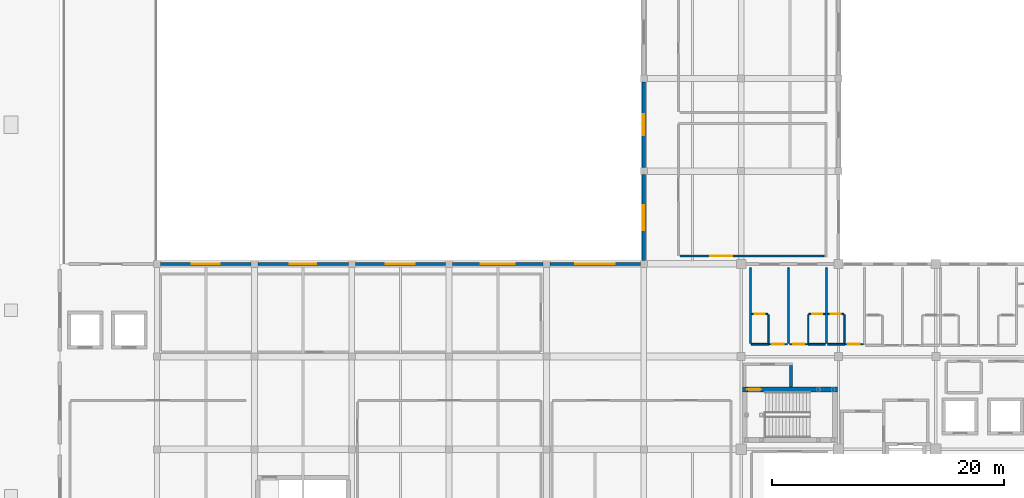
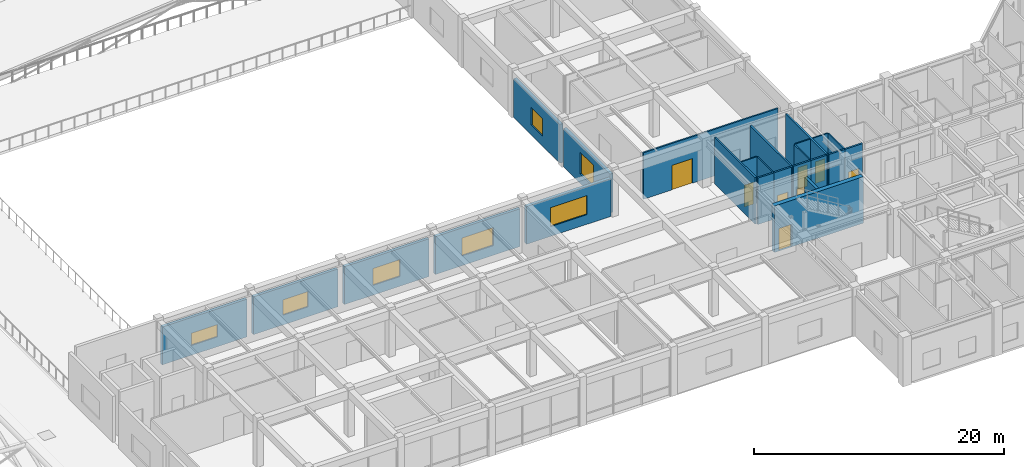
# One storey, part 22 of 37: 25 walls, 8 doors, 7 windows, 15 openings.
"""IFC4 building model written with IfcOpenShell, lengths in metres."""

from ifc_helpers import new_model, si_unit, direction, frame, frame_2d, origin, place, context, subcontext, project, spatial, rectangle, extrude, material, layer, layer_set, type_object, element, fill, save


model = new_model("IFC4")

# Units and contexts
model_context = context("Model", 3, precision=1e-05, world=origin(), true_north=direction((0.0, 1.0)))
body_context = subcontext(model_context, "Body", "Model", "MODEL_VIEW")
ifc_project = project(units=[si_unit("LENGTHUNIT", "METRE"), si_unit("AREAUNIT", "SQUARE_METRE"), si_unit("VOLUMEUNIT", "CUBIC_METRE"), si_unit("PLANEANGLEUNIT", "RADIAN"), si_unit("MASSUNIT", "GRAM", prefix="KILO")], contexts=[model_context])

# Site, building, storey
site_placement = place(None, origin())
site = spatial("IfcSite", under=ifc_project, at=site_placement, CompositionType="ELEMENT")
building_placement = place(site_placement, origin())
building = spatial("IfcBuilding", under=site, at=building_placement, Name="Naruveol Harbour Congress Hotel", CompositionType="ELEMENT")
storey_placement = place(building_placement, frame((0.0, 0.0, 16.199951171875)))
storey = spatial("IfcBuildingStorey", under=building, at=storey_placement, Name="L03", CompositionType="ELEMENT", Elevation=16.199951171875)

# Wall, opening, door
ifc_material_1 = material(Name="Acoustic Double Stud Gypsum", Category="gypsum")
ifc_layer_1 = layer(ifc_material_1, 0.139892578125)
ifc_layer_set_1 = layer_set([ifc_layer_1], Name="Acoustic Double Stud Gypsum")
wall_type_1 = type_object("IfcWallType", Name="ACOUSTIC MEETING PARTITION WALL 140", PredefinedType="PARTITIONING", material=ifc_layer_set_1)
wall_1_placement = place(storey_placement, frame((112.340087890625, 32.679931640625, 0.0), z_axis=(0.0, 0.0, 1.0), x_axis=(1.0, 0.0, 0.0)))
wall_1 = element("IfcWall", 1, at=wall_1_placement, inside=storey, type_object=wall_type_1, Name="Breakout Salon 302 south partition PW-140", PredefinedType="PARTITIONING", context=body_context, shape_type="SweptSolid", body=[
    extrude(rectangle(XDim=12.409912109375, YDim=0.139892578125, at=frame_2d((6.205078125, 0.0))), origin(), (0.0, 0.0, 1.0), 4.53515625),
])
opening_1_placement = place(wall_1_placement, frame((2.60009765625, 0.0, 0.0)))
opening_1 = element("IfcOpeningElement", 2, at=opening_1_placement, cuts=wall_1, Name="Opening ID-LG-86B", PredefinedType="OPENING", context=body_context, shape_type="SweptSolid", body=[
    extrude(rectangle(XDim=1.89990234375, YDim=2.39990234375, at=frame_2d((0.949951171875, 1.199951171875))), frame((0.0, 0.079833984375, 0.0), z_axis=(0.0, -1.0, 0.0), x_axis=(1.0, 0.0, 0.0)), (0.0, 0.0, 1.0), 0.159912109375),
])
ifc_material_2 = material(Name="Timber & Steel Acoustic Leaf", Category="steel")
door_type_1 = type_object("IfcDoorType", Name="RESTAURANT AND LOUNGE GLAZED DOOR 1900X2400", OperationType="DOUBLE_DOOR_SINGLE_SWING", PredefinedType="DOOR", material=ifc_material_2)
door_1_placement = place(opening_1_placement, origin())
door_1 = element("IfcDoor", 3, at=door_1_placement, inside=storey, type_object=door_type_1, Name="Breakout Salon 302 Second Exit Door", OperationType="DOUBLE_DOOR_SINGLE_SWING", OverallHeight=2.39990234375, OverallWidth=1.89990234375, PredefinedType="DOOR", context=body_context, shape_type="SweptSolid", body=[
    extrude(rectangle(XDim=1.89990234375, YDim=2.39990234375, at=frame_2d((0.949951171875, 1.199951171875))), frame((0.0, 0.02490234375, 0.0), z_axis=(0.0, -1.0, 0.0), x_axis=(1.0, 0.0, 0.0)), (0.0, 0.0, 1.0), 0.050048828125),
])
fill(opening_1, door_1)

# Wall, opening, window
ifc_material_3 = material(Name="Precast concrete C40/50", Category="concrete")
ifc_layer_2 = layer(ifc_material_3, 0.280029296875)
ifc_layer_set_2 = layer_set([ifc_layer_2], Name="Precast concrete C40/50")
wall_type_2 = type_object("IfcWallType", Name="ARCHITECTURAL PRECAST FACADE WALL 280", PredefinedType="SOLIDWALL", material=ifc_layer_set_2)
wall_2_placement = place(storey_placement, frame((67.5, 32.0, 0.0), z_axis=(0.0, 0.0, 1.0), x_axis=(1.0, 0.0, 0.0)))
wall_2 = element("IfcWall", 4, at=wall_2_placement, inside=storey, type_object=wall_type_2, Name="Level L03 courtyard step-back wall EW-280", PredefinedType="SOLIDWALL", context=body_context, shape_type="SweptSolid", body=[
    extrude(rectangle(XDim=7.800048828125, YDim=0.280029296875, at=frame_2d((3.89990234375, 0.0))), origin(), (0.0, 0.0, 1.0), 3.68994140625),
])
opening_2_placement = place(wall_2_placement, frame((2.699951171875, 0.0, 0.949951171875)))
opening_2 = element("IfcOpeningElement", 5, at=opening_2_placement, cuts=wall_2, Name="Opening W-19", PredefinedType="OPENING", context=body_context, shape_type="SweptSolid", body=[
    extrude(rectangle(XDim=2.39990234375, YDim=1.199951171875, at=frame_2d((1.199951171875, 0.60009765625))), frame((0.0, 0.14990234375, 0.0), z_axis=(0.0, -1.0, 0.0), x_axis=(1.0, 0.0, 0.0)), (0.0, 0.0, 1.0), 0.300048828125),
])
ifc_material_4 = material(Name="Low-E Triple Glazing in Thermal Aluminium", Category="aluminium")
window_type_1 = type_object("IfcWindowType", Name="AUDITORIUM ACOUSTIC CLERESTORY 2400X1200", PartitioningType="DOUBLE_PANEL_VERTICAL", PredefinedType="WINDOW", material=ifc_material_4)
window_1_placement = place(opening_2_placement, origin())
window_1 = element("IfcWindow", 6, at=window_1_placement, inside=storey, type_object=window_type_1, Name="Window W-19 #162", OverallHeight=1.199951171875, OverallWidth=2.39990234375, PartitioningType="DOUBLE_PANEL_VERTICAL", PredefinedType="WINDOW", context=body_context, shape_type="SweptSolid", body=[
    extrude(rectangle(XDim=2.39990234375, YDim=1.199951171875, at=frame_2d((1.199951171875, 0.60009765625))), frame((0.0, 0.030029296875, 0.0), z_axis=(0.0, -1.0, 0.0), x_axis=(1.0, 0.0, 0.0)), (0.0, 0.0, 1.0), 0.06005859375),
])
fill(opening_2, window_1)

wall_3_placement = place(storey_placement, frame((75.89990234375, 32.0, 0.0), z_axis=(0.0, 0.0, 1.0), x_axis=(1.0, 0.0, 0.0)))
wall_3 = element("IfcWall", 7, at=wall_3_placement, inside=storey, type_object=wall_type_2, Name="Level L03 courtyard step-back wall EW-280", PredefinedType="SOLIDWALL", context=body_context, shape_type="SweptSolid", body=[
    extrude(rectangle(XDim=7.800048828125, YDim=0.280029296875, at=frame_2d((3.89990234375, 0.0))), origin(), (0.0, 0.0, 1.0), 3.68994140625),
])
opening_3_placement = place(wall_3_placement, frame((2.75, 0.0, 0.949951171875)))
opening_3 = element("IfcOpeningElement", 8, at=opening_3_placement, cuts=wall_3, Name="Opening W-21", PredefinedType="OPENING", context=body_context, shape_type="SweptSolid", body=[
    extrude(rectangle(XDim=2.300048828125, YDim=1.5, at=frame_2d((1.14990234375, 0.75))), frame((0.0, 0.14990234375, 0.0), z_axis=(0.0, -1.0, 0.0), x_axis=(1.0, 0.0, 0.0)), (0.0, 0.0, 1.0), 0.300048828125),
])
ifc_material_5 = material(Name="Low-E Triple Glazing in Thermal Aluminium", Category="aluminium")
window_type_2 = type_object("IfcWindowType", Name="COURTYARD GALLERY WINDOW 2300X1500", PartitioningType="DOUBLE_PANEL_VERTICAL", PredefinedType="WINDOW", material=ifc_material_5)
window_2_placement = place(opening_3_placement, origin())
window_2 = element("IfcWindow", 9, at=window_2_placement, inside=storey, type_object=window_type_2, Name="Window W-21 #163", OverallHeight=1.5, OverallWidth=2.300048828125, PartitioningType="DOUBLE_PANEL_VERTICAL", PredefinedType="WINDOW", context=body_context, shape_type="SweptSolid", body=[
    extrude(rectangle(XDim=2.300048828125, YDim=1.5, at=frame_2d((1.14990234375, 0.75))), frame((0.0, 0.030029296875, 0.0), z_axis=(0.0, -1.0, 0.0), x_axis=(1.0, 0.0, 0.0)), (0.0, 0.0, 1.0), 0.06005859375),
])
fill(opening_3, window_2)

wall_4_placement = place(storey_placement, frame((84.300048828125, 32.0, 0.0), z_axis=(0.0, 0.0, 1.0), x_axis=(1.0, 0.0, 0.0)))
wall_4 = element("IfcWall", 10, at=wall_4_placement, inside=storey, type_object=wall_type_2, Name="Level L03 courtyard step-back wall EW-280", PredefinedType="SOLIDWALL", context=body_context, shape_type="SweptSolid", body=[
    extrude(rectangle(XDim=7.800048828125, YDim=0.280029296875, at=frame_2d((3.89990234375, 0.0))), origin(), (0.0, 0.0, 1.0), 3.68994140625),
])
opening_4_placement = place(wall_4_placement, frame((2.64990234375, 0.0, 0.949951171875)))
opening_4 = element("IfcOpeningElement", 11, at=opening_4_placement, cuts=wall_4, Name="Opening W-22", PredefinedType="OPENING", context=body_context, shape_type="SweptSolid", body=[
    extrude(rectangle(XDim=2.5, YDim=1.64990234375, at=frame_2d((1.25, 0.824951171875))), frame((0.0, 0.14990234375, 0.0), z_axis=(0.0, -1.0, 0.0), x_axis=(1.0, 0.0, 0.0)), (0.0, 0.0, 1.0), 0.300048828125),
])
ifc_material_6 = material(Name="Low-E Triple Glazing in Thermal Aluminium", Category="aluminium")
window_type_3 = type_object("IfcWindowType", Name="BREAKOUT SALON WINDOW 2500X1650", PartitioningType="DOUBLE_PANEL_VERTICAL", PredefinedType="WINDOW", material=ifc_material_6)
window_3_placement = place(opening_4_placement, origin())
window_3 = element("IfcWindow", 12, at=window_3_placement, inside=storey, type_object=window_type_3, Name="Window W-22 #164", OverallHeight=1.64990234375, OverallWidth=2.5, PartitioningType="DOUBLE_PANEL_VERTICAL", PredefinedType="WINDOW", context=body_context, shape_type="SweptSolid", body=[
    extrude(rectangle(XDim=2.5, YDim=1.64990234375, at=frame_2d((1.25, 0.824951171875))), frame((0.0, 0.030029296875, 0.0), z_axis=(0.0, -1.0, 0.0), x_axis=(1.0, 0.0, 0.0)), (0.0, 0.0, 1.0), 0.06005859375),
])
fill(opening_4, window_3)

wall_5_placement = place(storey_placement, frame((92.699951171875, 32.0, 0.0), z_axis=(0.0, 0.0, 1.0), x_axis=(1.0, 0.0, 0.0)))
wall_5 = element("IfcWall", 13, at=wall_5_placement, inside=storey, type_object=wall_type_2, Name="Level L03 courtyard step-back wall EW-280", PredefinedType="SOLIDWALL", context=body_context, shape_type="SweptSolid", body=[
    extrude(rectangle(XDim=7.800048828125, YDim=0.280029296875, at=frame_2d((3.89990234375, 0.0))), origin(), (0.0, 0.0, 1.0), 3.68994140625),
])
opening_5_placement = place(wall_5_placement, frame((2.449951171875, 0.0, 0.949951171875)))
opening_5 = element("IfcOpeningElement", 14, at=opening_5_placement, cuts=wall_5, Name="Opening W-23", PredefinedType="OPENING", context=body_context, shape_type="SweptSolid", body=[
    extrude(rectangle(XDim=2.89990234375, YDim=1.75, at=frame_2d((1.449951171875, 0.875))), frame((0.0, 0.14990234375, 0.0), z_axis=(0.0, -1.0, 0.0), x_axis=(1.0, 0.0, 0.0)), (0.0, 0.0, 1.0), 0.300048828125),
])
ifc_material_7 = material(Name="Low-E Triple Glazing in Thermal Aluminium", Category="aluminium")
window_type_4 = type_object("IfcWindowType", Name="BOARDROOM HARBOUR WINDOW 2900X1750", PartitioningType="DOUBLE_PANEL_VERTICAL", PredefinedType="WINDOW", material=ifc_material_7)
window_4_placement = place(opening_5_placement, origin())
window_4 = element("IfcWindow", 15, at=window_4_placement, inside=storey, type_object=window_type_4, Name="Window W-23 #165", OverallHeight=1.75, OverallWidth=2.89990234375, PartitioningType="DOUBLE_PANEL_VERTICAL", PredefinedType="WINDOW", context=body_context, shape_type="SweptSolid", body=[
    extrude(rectangle(XDim=2.89990234375, YDim=1.75, at=frame_2d((1.449951171875, 0.875))), frame((0.0, 0.030029296875, 0.0), z_axis=(0.0, -1.0, 0.0), x_axis=(1.0, 0.0, 0.0)), (0.0, 0.0, 1.0), 0.06005859375),
])
fill(opening_5, window_4)

wall_6_placement = place(storey_placement, frame((101.10009765625, 32.0, 0.0), z_axis=(0.0, 0.0, 1.0), x_axis=(1.0, 0.0, 0.0)))
wall_6 = element("IfcWall", 16, at=wall_6_placement, inside=storey, type_object=wall_type_2, Name="Level L03 courtyard step-back wall EW-280", PredefinedType="SOLIDWALL", context=body_context, shape_type="SweptSolid", body=[
    extrude(rectangle(XDim=7.7998046875, YDim=0.280029296875, at=frame_2d((3.89990234375, 0.0))), origin(), (0.0, 0.0, 1.0), 3.68994140625),
])
opening_6_placement = place(wall_6_placement, frame((2.199951171875, 0.0, 0.949951171875)))
opening_6 = element("IfcOpeningElement", 17, at=opening_6_placement, cuts=wall_6, Name="Opening W-24", PredefinedType="OPENING", context=body_context, shape_type="SweptSolid", body=[
    extrude(rectangle(XDim=3.39990234375, YDim=1.85009765625, at=frame_2d((1.699951171875, 0.925048828125))), frame((0.0, 0.14990234375, 0.0), z_axis=(0.0, -1.0, 0.0), x_axis=(1.0, 0.0, 0.0)), (0.0, 0.0, 1.0), 0.300048828125),
])
ifc_material_8 = material(Name="Low-E Triple Glazing in Thermal Aluminium", Category="aluminium")
window_type_5 = type_object("IfcWindowType", Name="DELEGATES LOUNGE WINDOW 3400X1850", PartitioningType="DOUBLE_PANEL_VERTICAL", PredefinedType="WINDOW", material=ifc_material_8)
window_5_placement = place(opening_6_placement, origin())
window_5 = element("IfcWindow", 18, at=window_5_placement, inside=storey, type_object=window_type_5, Name="Window W-24 #166", OverallHeight=1.85009765625, OverallWidth=3.39990234375, PartitioningType="DOUBLE_PANEL_VERTICAL", PredefinedType="WINDOW", context=body_context, shape_type="SweptSolid", body=[
    extrude(rectangle(XDim=3.39990234375, YDim=1.85009765625, at=frame_2d((1.699951171875, 0.925048828125))), frame((0.0, 0.030029296875, 0.0), z_axis=(0.0, -1.0, 0.0), x_axis=(1.0, 0.0, 0.0)), (0.0, 0.0, 1.0), 0.06005859375),
])
fill(opening_6, window_5)

wall_7_placement = place(storey_placement, frame((109.199951171875, 32.300048828125, 0.0), z_axis=(0.0, 0.0, 1.0), x_axis=(0.0, 1.0, 0.0)))
wall_7 = element("IfcWall", 19, at=wall_7_placement, inside=storey, type_object=wall_type_2, Name="Level L03 north garden step-back wall EW-280", PredefinedType="SOLIDWALL", context=body_context, shape_type="SweptSolid", body=[
    extrude(rectangle(XDim=7.39990234375, YDim=0.280029296875, at=frame_2d((3.699951171875, 0.0))), origin(), (0.0, 0.0, 1.0), 3.7900390625),
])
opening_7_placement = place(wall_7_placement, frame((2.625, 0.0, 0.949951171875)))
opening_7 = element("IfcOpeningElement", 20, at=opening_7_placement, cuts=wall_7, Name="Opening W-29", PredefinedType="OPENING", context=body_context, shape_type="SweptSolid", body=[
    extrude(rectangle(XDim=2.14990234375, YDim=2.10009765625, at=frame_2d((1.074951171875, 1.050048828125))), frame((0.0, 0.14990234375, 0.0), z_axis=(0.0, -1.0, 0.0), x_axis=(1.0, 0.0, 0.0)), (0.0, 0.0, 1.0), 0.300048828125),
])
ifc_material_9 = material(Name="Low-E Triple Glazing in Thermal Aluminium", Category="aluminium")
window_type_6 = type_object("IfcWindowType", Name="DINING TERRACE WINDOW 2150X2100", PartitioningType="DOUBLE_PANEL_VERTICAL", PredefinedType="WINDOW", material=ifc_material_9)
window_6_placement = place(opening_7_placement, origin())
window_6 = element("IfcWindow", 21, at=window_6_placement, inside=storey, type_object=window_type_6, Name="Window W-29 #170", OverallHeight=2.10009765625, OverallWidth=2.14990234375, PartitioningType="DOUBLE_PANEL_VERTICAL", PredefinedType="WINDOW", context=body_context, shape_type="SweptSolid", body=[
    extrude(rectangle(XDim=2.14990234375, YDim=2.10009765625, at=frame_2d((1.074951171875, 1.050048828125))), frame((0.0, 0.030029296875, 0.0), z_axis=(0.0, -1.0, 0.0), x_axis=(1.0, 0.0, 0.0)), (0.0, 0.0, 1.0), 0.06005859375),
])
fill(opening_7, window_6)

wall_8_placement = place(storey_placement, frame((109.199951171875, 40.300048828125, 0.0), z_axis=(0.0, 0.0, 1.0), x_axis=(0.0, 1.0, 0.0)))
wall_8 = element("IfcWall", 22, at=wall_8_placement, inside=storey, type_object=wall_type_2, Name="Level L03 north garden step-back wall EW-280", PredefinedType="SOLIDWALL", context=body_context, shape_type="SweptSolid", body=[
    extrude(rectangle(XDim=7.39990234375, YDim=0.280029296875, at=frame_2d((3.699951171875, 0.0))), origin(), (0.0, 0.0, 1.0), 3.7900390625),
])
opening_8_placement = place(wall_8_placement, frame((2.800048828125, 0.0, 0.949951171875)))
opening_8 = element("IfcOpeningElement", 23, at=opening_8_placement, cuts=wall_8, Name="Opening W-04", PredefinedType="OPENING", context=body_context, shape_type="SweptSolid", body=[
    extrude(rectangle(XDim=1.800048828125, YDim=1.699951171875, at=frame_2d((0.89990234375, 0.85009765625))), frame((0.0, 0.14990234375, 0.0), z_axis=(0.0, -1.0, 0.0), x_axis=(1.0, 0.0, 0.0)), (0.0, 0.0, 1.0), 0.300048828125),
])
ifc_material_10 = material(Name="Low-E Triple Glazing in Thermal Aluminium", Category="aluminium")
window_type_7 = type_object("IfcWindowType", Name="DELUXE PANORAMA WINDOW 1800X1700", PartitioningType="DOUBLE_PANEL_VERTICAL", PredefinedType="WINDOW", material=ifc_material_10)
window_7_placement = place(opening_8_placement, origin())
window_7 = element("IfcWindow", 24, at=window_7_placement, inside=storey, type_object=window_type_7, Name="Window W-04 #171", OverallHeight=1.699951171875, OverallWidth=1.800048828125, PartitioningType="DOUBLE_PANEL_VERTICAL", PredefinedType="WINDOW", context=body_context, shape_type="SweptSolid", body=[
    extrude(rectangle(XDim=1.800048828125, YDim=1.699951171875, at=frame_2d((0.89990234375, 0.85009765625))), frame((0.0, 0.030029296875, 0.0), z_axis=(0.0, -1.0, 0.0), x_axis=(1.0, 0.0, 0.0)), (0.0, 0.0, 1.0), 0.06005859375),
])
fill(opening_8, window_7)

# Wall
ifc_material_11 = material(Name="Moisture-Resistant Gypsum Partition", Category="gypsum")
ifc_layer_3 = layer(ifc_material_11, 0.114990234375)
ifc_layer_set_3 = layer_set([ifc_layer_3], Name="Moisture-Resistant Gypsum Partition")
wall_type_3 = type_object("IfcWallType", Name="BATHROOM MOISTURE PARTITION WALL 115", PredefinedType="PARTITIONING", material=ifc_layer_set_3)
wall_9_placement = place(storey_placement, frame((119.969970703125, 25.159912109375, 0.0), z_axis=(0.0, 0.0, 1.0), x_axis=(0.0, 1.0, 0.0)))
element("IfcWall", 25, at=wall_9_placement, inside=storey, type_object=wall_type_3, Name="Bathroom east wall 0457 PW-115", PredefinedType="PARTITIONING", context=body_context, shape_type="SweptSolid", body=[
    extrude(rectangle(XDim=2.4501953125, YDim=0.114990234375, at=frame_2d((1.22509765625, 0.0))), origin(), (0.0, 0.0, 1.0), 4.53515625),
])

# Wall, opening, door
wall_10_placement = place(storey_placement, frame((118.5, 27.669921875, 0.0), z_axis=(0.0, 0.0, 1.0), x_axis=(1.0, 0.0, 0.0)))
wall_10 = element("IfcWall", 26, at=wall_10_placement, inside=storey, type_object=wall_type_3, Name="Bathroom north wall 0457 PW-115", PredefinedType="PARTITIONING", context=body_context, shape_type="SweptSolid", body=[
    extrude(rectangle(XDim=1.409912109375, YDim=0.114990234375, at=frame_2d((0.705078125, 0.0))), origin(), (0.0, 0.0, 1.0), 4.53515625),
])
opening_9_placement = place(wall_10_placement, frame((0.27490234375, 0.0, 0.0)))
opening_9 = element("IfcOpeningElement", 27, at=opening_9_placement, cuts=wall_10, Name="Opening BD-RM0457", PredefinedType="OPENING", context=body_context, shape_type="SweptSolid", body=[
    extrude(rectangle(XDim=0.860107421875, YDim=2.1201171875, at=frame_2d((0.43017578125, 1.06005859375))), frame((0.0, 0.0673828125, 0.0), z_axis=(0.0, -1.0, 0.0), x_axis=(1.0, 0.0, 0.0)), (0.0, 0.0, 1.0), 0.135009765625),
])
ifc_material_12 = material(Name="Timber & Steel Acoustic Leaf", Category="steel")
door_type_2 = type_object("IfcDoorType", Name="GUEST BATHROOM DOOR 860X2120", OperationType="NOTDEFINED", PredefinedType="DOOR", material=ifc_material_12)
door_2_placement = place(opening_9_placement, origin())
door_2 = element("IfcDoor", 28, at=door_2_placement, inside=storey, type_object=door_type_2, Name="Bathroom Door 0457", OperationType="SINGLE_SWING_RIGHT", OverallHeight=2.1201171875, OverallWidth=0.860107421875, PredefinedType="DOOR", context=body_context, shape_type="SweptSolid", body=[
    extrude(rectangle(XDim=0.860107421875, YDim=2.1201171875, at=frame_2d((0.43017578125, 1.06005859375))), frame((0.0, 0.02490234375, 0.0), z_axis=(0.0, -1.0, 0.0), x_axis=(1.0, 0.0, 0.0)), (0.0, 0.0, 1.0), 0.050048828125),
])
fill(opening_9, door_2)

# Wall
wall_11_placement = place(storey_placement, frame((123.389892578125, 25.159912109375, 0.0), z_axis=(0.0, 0.0, 1.0), x_axis=(0.0, 1.0, 0.0)))
element("IfcWall", 29, at=wall_11_placement, inside=storey, type_object=wall_type_3, Name="Bathroom west wall 0458 PW-115", PredefinedType="PARTITIONING", context=body_context, shape_type="SweptSolid", body=[
    extrude(rectangle(XDim=2.4501953125, YDim=0.114990234375, at=frame_2d((1.22509765625, 0.0))), origin(), (0.0, 0.0, 1.0), 4.53515625),
])

# Wall, opening, door
wall_12_placement = place(storey_placement, frame((123.449951171875, 27.669921875, 0.0), z_axis=(0.0, 0.0, 1.0), x_axis=(1.0, 0.0, 0.0)))
wall_12 = element("IfcWall", 30, at=wall_12_placement, inside=storey, type_object=wall_type_3, Name="Bathroom north wall 0458 PW-115", PredefinedType="PARTITIONING", context=body_context, shape_type="SweptSolid", body=[
    extrude(rectangle(XDim=1.41015625, YDim=0.114990234375, at=frame_2d((0.705078125, 0.0))), origin(), (0.0, 0.0, 1.0), 4.53515625),
])
opening_10_placement = place(wall_12_placement, frame((0.27490234375, 0.0, 0.0)))
opening_10 = element("IfcOpeningElement", 31, at=opening_10_placement, cuts=wall_12, Name="Opening BD-RM0458", PredefinedType="OPENING", context=body_context, shape_type="SweptSolid", body=[
    extrude(rectangle(XDim=0.860107421875, YDim=2.1201171875, at=frame_2d((0.43017578125, 1.06005859375))), frame((0.0, 0.0673828125, 0.0), z_axis=(0.0, -1.0, 0.0), x_axis=(1.0, 0.0, 0.0)), (0.0, 0.0, 1.0), 0.135009765625),
])
door_3_placement = place(opening_10_placement, origin())
door_3 = element("IfcDoor", 32, at=door_3_placement, inside=storey, type_object=door_type_2, Name="Bathroom Door 0458", OperationType="SINGLE_SWING_RIGHT", OverallHeight=2.1201171875, OverallWidth=0.860107421875, PredefinedType="DOOR", context=body_context, shape_type="SweptSolid", body=[
    extrude(rectangle(XDim=0.860107421875, YDim=2.1201171875, at=frame_2d((0.43017578125, 1.06005859375))), frame((0.0, 0.02490234375, 0.0), z_axis=(0.0, -1.0, 0.0), x_axis=(1.0, 0.0, 0.0)), (0.0, 0.0, 1.0), 0.050048828125),
])
fill(opening_10, door_3)

# Wall
wall_13_placement = place(storey_placement, frame((126.530029296875, 25.159912109375, 0.0), z_axis=(0.0, 0.0, 1.0), x_axis=(0.0, 1.0, 0.0)))
element("IfcWall", 33, at=wall_13_placement, inside=storey, type_object=wall_type_3, Name="Bathroom east wall 0459 PW-115", PredefinedType="PARTITIONING", context=body_context, shape_type="SweptSolid", body=[
    extrude(rectangle(XDim=2.4501953125, YDim=0.114990234375, at=frame_2d((1.22509765625, 0.0))), origin(), (0.0, 0.0, 1.0), 4.53515625),
])

# Wall, opening, door
wall_14_placement = place(storey_placement, frame((125.06005859375, 27.669921875, 0.0), z_axis=(0.0, 0.0, 1.0), x_axis=(1.0, 0.0, 0.0)))
wall_14 = element("IfcWall", 34, at=wall_14_placement, inside=storey, type_object=wall_type_3, Name="Bathroom north wall 0459 PW-115", PredefinedType="PARTITIONING", context=body_context, shape_type="SweptSolid", body=[
    extrude(rectangle(XDim=1.409912109375, YDim=0.114990234375, at=frame_2d((0.705078125, 0.0))), origin(), (0.0, 0.0, 1.0), 4.53515625),
])
opening_11_placement = place(wall_14_placement, frame((0.27490234375, 0.0, 0.0)))
opening_11 = element("IfcOpeningElement", 35, at=opening_11_placement, cuts=wall_14, Name="Opening BD-RM0459", PredefinedType="OPENING", context=body_context, shape_type="SweptSolid", body=[
    extrude(rectangle(XDim=0.860107421875, YDim=2.1201171875, at=frame_2d((0.43017578125, 1.06005859375))), frame((0.0, 0.0673828125, 0.0), z_axis=(0.0, -1.0, 0.0), x_axis=(1.0, 0.0, 0.0)), (0.0, 0.0, 1.0), 0.135009765625),
])
door_4_placement = place(opening_11_placement, origin())
door_4 = element("IfcDoor", 36, at=door_4_placement, inside=storey, type_object=door_type_2, Name="Bathroom Door 0459", OperationType="SINGLE_SWING_RIGHT", OverallHeight=2.1201171875, OverallWidth=0.860107421875, PredefinedType="DOOR", context=body_context, shape_type="SweptSolid", body=[
    extrude(rectangle(XDim=0.860107421875, YDim=2.1201171875, at=frame_2d((0.43017578125, 1.06005859375))), frame((0.0, 0.02490234375, 0.0), z_axis=(0.0, -1.0, 0.0), x_axis=(1.0, 0.0, 0.0)), (0.0, 0.0, 1.0), 0.050048828125),
])
fill(opening_11, door_4)

# Walls
ifc_material_13 = material(Name="Concrete C40/50", Category="concrete")
ifc_layer_4 = layer(ifc_material_13, 0.219970703125)
ifc_layer_set_4 = layer_set([ifc_layer_4], Name="Concrete C40/50")
wall_type_4 = type_object("IfcWallType", Name="FIRE COMPARTMENT AND LOBBY WALL 220 EI120", PredefinedType="PARTITIONING", material=ifc_layer_set_4)
wall_15_placement = place(storey_placement, frame((121.89990234375, 21.364990234375, 0.0), z_axis=(0.0, 0.0, 1.0), x_axis=(0.0, 1.0, 0.0)))
element("IfcWall", 37, at=wall_15_placement, inside=storey, type_object=wall_type_4, Name="Smoke vestibule ST3 east wall FW-220", PredefinedType="PARTITIONING", context=body_context, shape_type="SweptSolid", body=[
    extrude(rectangle(XDim=1.8701171875, YDim=0.219970703125, at=frame_2d((0.93505859375, 0.0))), origin(), (0.0, 0.0, 1.0), 4.53515625),
])
ifc_material_14 = material(Name="Autoclaved Aerated Concrete Block", Category="concrete")
ifc_layer_5 = layer(ifc_material_14, 0.159912109375)
ifc_layer_set_5 = layer_set([ifc_layer_5], Name="Autoclaved Aerated Concrete Block")
wall_type_5 = type_object("IfcWallType", Name="HOTEL PARTY AND CORRIDOR WALL 160 EI60", PredefinedType="PARTITIONING", material=ifc_layer_set_5)
wall_16_placement = place(storey_placement, frame((118.489990234375, 25.070068359375, 0.0), z_axis=(0.0, 0.0, 1.0), x_axis=(1.0, 0.0, 0.0)))
element("IfcWall", 38, at=wall_16_placement, inside=storey, type_object=wall_type_5, Name="Corridor wall 0457B PW-160", PredefinedType="PARTITIONING", context=body_context, shape_type="SweptSolid", body=[
    extrude(rectangle(XDim=1.469970703125, YDim=0.159912109375, at=frame_2d((0.73486328125, 0.0))), origin(), (0.0, 0.0, 1.0), 4.53515625),
])

# Wall, opening, door
wall_17_placement = place(storey_placement, frame((119.969970703125, 25.070068359375, 0.0), z_axis=(0.0, 0.0, 1.0), x_axis=(1.0, 0.0, 0.0)))
wall_17 = element("IfcWall", 39, at=wall_17_placement, inside=storey, type_object=wall_type_5, Name="Corridor entry wall 0457 PW-160", PredefinedType="PARTITIONING", context=body_context, shape_type="SweptSolid", body=[
    extrude(rectangle(XDim=1.6201171875, YDim=0.159912109375, at=frame_2d((0.81005859375, 0.0))), origin(), (0.0, 0.0, 1.0), 4.53515625),
])
opening_12_placement = place(wall_17_placement, frame((0.330078125, 0.0, 0.0)))
opening_12 = element("IfcOpeningElement", 40, at=opening_12_placement, cuts=wall_17, Name="Opening FD-RM0457", PredefinedType="OPENING", context=body_context, shape_type="SweptSolid", body=[
    extrude(rectangle(XDim=0.9599609375, YDim=2.199951171875, at=frame_2d((0.47998046875, 1.10009765625))), frame((0.0, 0.08984375, 0.0), z_axis=(0.0, -1.0, 0.0), x_axis=(1.0, 0.0, 0.0)), (0.0, 0.0, 1.0), 0.179931640625),
])
ifc_material_15 = material(Name="Timber & Steel Acoustic Leaf", Category="steel")
door_type_3 = type_object("IfcDoorType", Name="GUEST ROOM ENTRANCE FIRE DOOR 960X2200", OperationType="NOTDEFINED", PredefinedType="DOOR", material=ifc_material_15)
door_5_placement = place(opening_12_placement, origin())
door_5 = element("IfcDoor", 41, at=door_5_placement, inside=storey, type_object=door_type_3, Name="Hotel Room Door 0457", OperationType="SINGLE_SWING_LEFT", OverallHeight=2.199951171875, OverallWidth=0.9599609375, PredefinedType="DOOR", context=body_context, shape_type="SweptSolid", body=[
    extrude(rectangle(XDim=0.9599609375, YDim=2.199951171875, at=frame_2d((0.47998046875, 1.10009765625))), frame((0.0, 0.02490234375, 0.0), z_axis=(0.0, -1.0, 0.0), x_axis=(1.0, 0.0, 0.0)), (0.0, 0.0, 1.0), 0.050048828125),
])
fill(opening_12, door_5)

# Wall
wall_18_placement = place(storey_placement, frame((118.39990234375, 25.159912109375, 0.0), z_axis=(0.0, 0.0, 1.0), x_axis=(0.0, 1.0, 0.0)))
element("IfcWall", 42, at=wall_18_placement, inside=storey, type_object=wall_type_5, Name="Hotel party wall 0457 PW-160", PredefinedType="PARTITIONING", context=body_context, shape_type="SweptSolid", body=[
    extrude(rectangle(XDim=6.5, YDim=0.159912109375, at=frame_2d((3.25, 0.0))), origin(), (0.0, 0.0, 1.0), 4.53515625),
])

# Wall, opening, door
wall_19_placement = place(storey_placement, frame((121.77001953125, 25.070068359375, 0.0), z_axis=(0.0, 0.0, 1.0), x_axis=(1.0, 0.0, 0.0)))
wall_19 = element("IfcWall", 43, at=wall_19_placement, inside=storey, type_object=wall_type_5, Name="Corridor entry wall 0458 PW-160", PredefinedType="PARTITIONING", context=body_context, shape_type="SweptSolid", body=[
    extrude(rectangle(XDim=1.619873046875, YDim=0.159912109375, at=frame_2d((0.81005859375, 0.0))), origin(), (0.0, 0.0, 1.0), 4.53515625),
])
opening_13_placement = place(wall_19_placement, frame((0.330078125, 0.0, 0.0)))
opening_13 = element("IfcOpeningElement", 44, at=opening_13_placement, cuts=wall_19, Name="Opening FD-RM0458", PredefinedType="OPENING", context=body_context, shape_type="SweptSolid", body=[
    extrude(rectangle(XDim=0.9599609375, YDim=2.199951171875, at=frame_2d((0.47998046875, 1.10009765625))), frame((0.0, 0.08984375, 0.0), z_axis=(0.0, -1.0, 0.0), x_axis=(1.0, 0.0, 0.0)), (0.0, 0.0, 1.0), 0.179931640625),
])
door_6_placement = place(opening_13_placement, origin())
door_6 = element("IfcDoor", 45, at=door_6_placement, inside=storey, type_object=door_type_3, Name="Hotel Room Door 0458", OperationType="SINGLE_SWING_LEFT", OverallHeight=2.199951171875, OverallWidth=0.9599609375, PredefinedType="DOOR", context=body_context, shape_type="SweptSolid", body=[
    extrude(rectangle(XDim=0.9599609375, YDim=2.199951171875, at=frame_2d((0.47998046875, 1.10009765625))), frame((0.0, 0.02490234375, 0.0), z_axis=(0.0, -1.0, 0.0), x_axis=(1.0, 0.0, 0.0)), (0.0, 0.0, 1.0), 0.050048828125),
])
fill(opening_13, door_6)

# Walls
wall_20_placement = place(storey_placement, frame((123.39990234375, 25.070068359375, 0.0), z_axis=(0.0, 0.0, 1.0), x_axis=(1.0, 0.0, 0.0)))
element("IfcWall", 46, at=wall_20_placement, inside=storey, type_object=wall_type_5, Name="Corridor wall 0458B PW-160", PredefinedType="PARTITIONING", context=body_context, shape_type="SweptSolid", body=[
    extrude(rectangle(XDim=1.47021484375, YDim=0.159912109375, at=frame_2d((0.735107421875, 0.0))), origin(), (0.0, 0.0, 1.0), 4.53515625),
])
wall_21_placement = place(storey_placement, frame((121.679931640625, 25.159912109375, 0.0), z_axis=(0.0, 0.0, 1.0), x_axis=(0.0, 1.0, 0.0)))
element("IfcWall", 47, at=wall_21_placement, inside=storey, type_object=wall_type_5, Name="Hotel party wall 0458 PW-160", PredefinedType="PARTITIONING", context=body_context, shape_type="SweptSolid", body=[
    extrude(rectangle(XDim=6.5, YDim=0.159912109375, at=frame_2d((3.25, 0.0))), origin(), (0.0, 0.0, 1.0), 4.53515625),
])
wall_22_placement = place(storey_placement, frame((125.050048828125, 25.070068359375, 0.0), z_axis=(0.0, 0.0, 1.0), x_axis=(1.0, 0.0, 0.0)))
element("IfcWall", 48, at=wall_22_placement, inside=storey, type_object=wall_type_5, Name="Corridor wall 0459B PW-160", PredefinedType="PARTITIONING", context=body_context, shape_type="SweptSolid", body=[
    extrude(rectangle(XDim=1.469970703125, YDim=0.159912109375, at=frame_2d((0.73486328125, 0.0))), origin(), (0.0, 0.0, 1.0), 4.53515625),
])

# Wall, opening, door
wall_23_placement = place(storey_placement, frame((126.530029296875, 25.070068359375, 0.0), z_axis=(0.0, 0.0, 1.0), x_axis=(1.0, 0.0, 0.0)))
wall_23 = element("IfcWall", 49, at=wall_23_placement, inside=storey, type_object=wall_type_5, Name="Corridor entry wall 0459 PW-160", PredefinedType="PARTITIONING", context=body_context, shape_type="SweptSolid", body=[
    extrude(rectangle(XDim=1.619873046875, YDim=0.159912109375, at=frame_2d((0.81005859375, 0.0))), origin(), (0.0, 0.0, 1.0), 4.53515625),
])
opening_14_placement = place(wall_23_placement, frame((0.330078125, 0.0, 0.0)))
opening_14 = element("IfcOpeningElement", 50, at=opening_14_placement, cuts=wall_23, Name="Opening FD-RM0459", PredefinedType="OPENING", context=body_context, shape_type="SweptSolid", body=[
    extrude(rectangle(XDim=0.9599609375, YDim=2.199951171875, at=frame_2d((0.47998046875, 1.10009765625))), frame((0.0, 0.08984375, 0.0), z_axis=(0.0, -1.0, 0.0), x_axis=(1.0, 0.0, 0.0)), (0.0, 0.0, 1.0), 0.179931640625),
])
door_7_placement = place(opening_14_placement, origin())
door_7 = element("IfcDoor", 51, at=door_7_placement, inside=storey, type_object=door_type_3, Name="Hotel Room Door 0459", OperationType="SINGLE_SWING_LEFT", OverallHeight=2.199951171875, OverallWidth=0.9599609375, PredefinedType="DOOR", context=body_context, shape_type="SweptSolid", body=[
    extrude(rectangle(XDim=0.9599609375, YDim=2.199951171875, at=frame_2d((0.47998046875, 1.10009765625))), frame((0.0, 0.02490234375, 0.0), z_axis=(0.0, -1.0, 0.0), x_axis=(1.0, 0.0, 0.0)), (0.0, 0.0, 1.0), 0.050048828125),
])
fill(opening_14, door_7)

# Wall
wall_24_placement = place(storey_placement, frame((124.9599609375, 25.159912109375, 0.0), z_axis=(0.0, 0.0, 1.0), x_axis=(0.0, 1.0, 0.0)))
element("IfcWall", 52, at=wall_24_placement, inside=storey, type_object=wall_type_5, Name="Hotel party wall 0459 PW-160", PredefinedType="PARTITIONING", context=body_context, shape_type="SweptSolid", body=[
    extrude(rectangle(XDim=6.5, YDim=0.159912109375, at=frame_2d((3.25, 0.0))), origin(), (0.0, 0.0, 1.0), 4.53515625),
])

# Wall, opening, door
ifc_material_16 = material(Name="Concrete C50/60", Category="concrete")
ifc_layer_6 = layer(ifc_material_16, 0.39990234375)
ifc_layer_set_6 = layer_set([ifc_layer_6], Name="Concrete C50/60")
wall_type_6 = type_object("IfcWallType", Name="RC CORE SHEAR WALL 400 EI120", PredefinedType="SHEAR", material=ifc_layer_set_6)
wall_25_placement = place(storey_placement, frame((117.699951171875, 21.159912109375, 0.0), z_axis=(0.0, 0.0, 1.0), x_axis=(1.0, 0.0, 0.0)))
wall_25 = element("IfcWall", 53, at=wall_25_placement, inside=storey, type_object=wall_type_6, Name="Stair ST3 north core wall CW-400", PredefinedType="SHEAR", context=body_context, shape_type="SweptSolid", body=[
    extrude(rectangle(XDim=8.199951171875, YDim=0.39990234375, at=frame_2d((4.10009765625, 0.0))), origin(), (0.0, 0.0, 1.0), 4.53515625),
])
opening_15_placement = place(wall_25_placement, frame((0.429931640625, 0.0, 0.0)))
opening_15 = element("IfcOpeningElement", 54, at=opening_15_placement, cuts=wall_25, Name="Opening FD-ST3-S-L03", PredefinedType="OPENING", context=body_context, shape_type="SweptSolid", body=[
    extrude(rectangle(XDim=1.159912109375, YDim=2.199951171875, at=frame_2d((0.580078125, 1.10009765625))), frame((0.0, 0.2099609375, 0.0), z_axis=(0.0, -1.0, 0.0), x_axis=(1.0, 0.0, 0.0)), (0.0, 0.0, 1.0), 0.419921875),
])
ifc_material_17 = material(Name="Timber & Steel Acoustic Leaf", Category="steel")
door_type_4 = type_object("IfcDoorType", Name="SPECIAL ESCAPE STAIR FIRE DOOR 1160X2200", OperationType="NOTDEFINED", PredefinedType="DOOR", material=ifc_material_17)
door_8_placement = place(opening_15_placement, origin())
door_8 = element("IfcDoor", 55, at=door_8_placement, inside=storey, type_object=door_type_4, Name="Special Escape Stair Door ST3 L03", OperationType="SINGLE_SWING_RIGHT", OverallHeight=2.199951171875, OverallWidth=1.159912109375, PredefinedType="DOOR", context=body_context, shape_type="SweptSolid", body=[
    extrude(rectangle(XDim=1.159912109375, YDim=2.199951171875, at=frame_2d((0.580078125, 1.10009765625))), frame((0.0, 0.02490234375, 0.0), z_axis=(0.0, -1.0, 0.0), x_axis=(1.0, 0.0, 0.0)), (0.0, 0.0, 1.0), 0.050048828125),
])
fill(opening_15, door_8)

save(model, "model.ifc")
